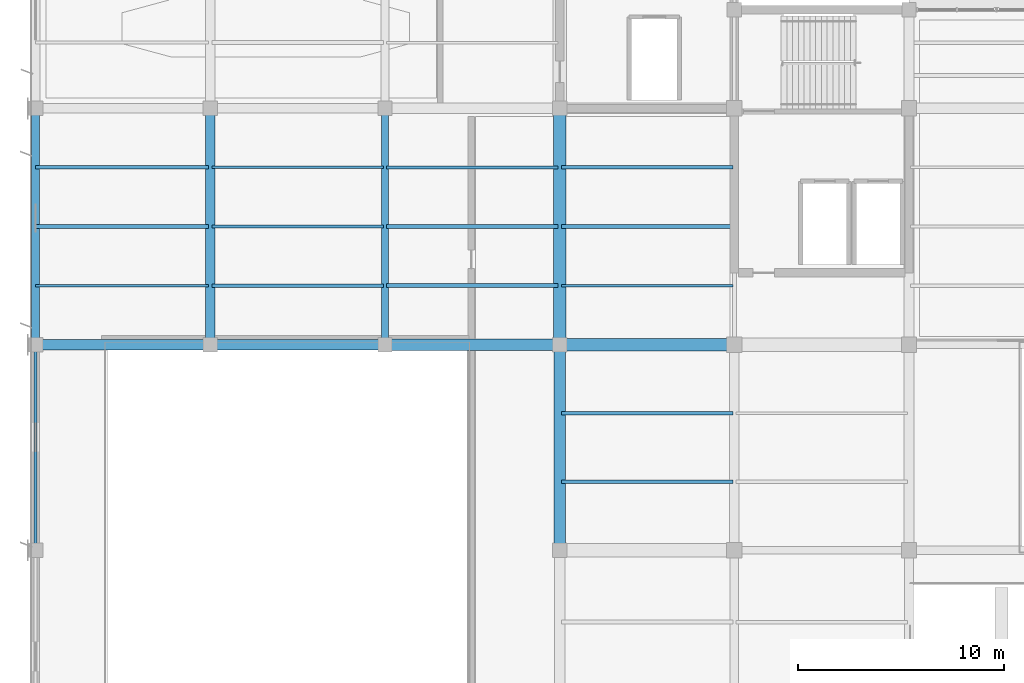
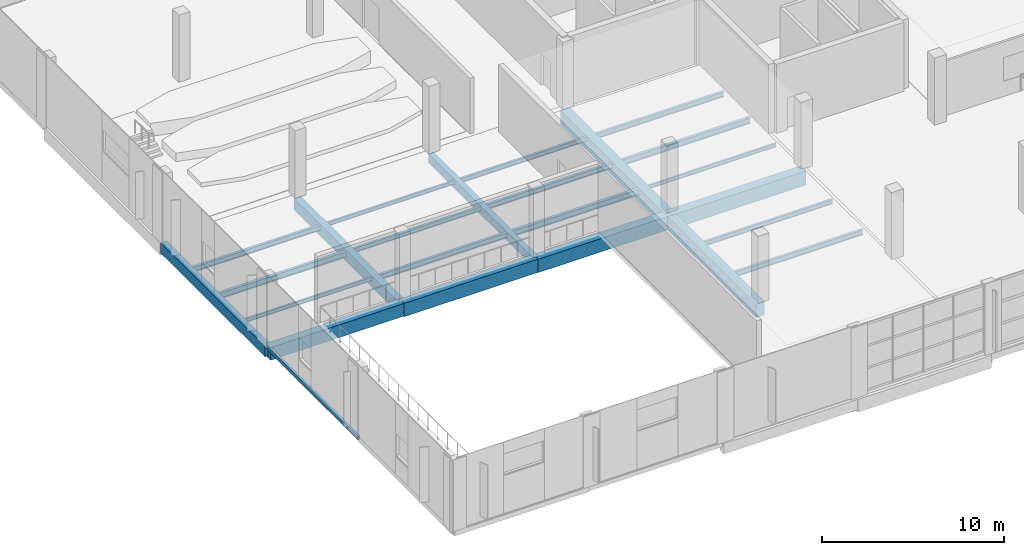
# One storey, part 12 of 112: 24 beams.
"""IFC4 building model written with IfcOpenShell, lengths in metres."""

from ifc_helpers import new_model, si_unit, direction, frame, origin, origin_2d, place, context, subcontext, project, spatial, rectangle, hollow_rectangle, i_section, extrude, material, material_profile, profile_set, type_object, element, save


model = new_model("IFC4")

# Units and contexts
model_context = context("Model", 3, precision=1e-05, world=origin(), true_north=direction((0.0, 1.0)))
body_context = subcontext(model_context, "Body", "Model", "MODEL_VIEW")
ifc_project = project(units=[si_unit("LENGTHUNIT", "METRE"), si_unit("AREAUNIT", "SQUARE_METRE"), si_unit("VOLUMEUNIT", "CUBIC_METRE"), si_unit("PLANEANGLEUNIT", "RADIAN"), si_unit("MASSUNIT", "GRAM", prefix="KILO")], contexts=[model_context])

# Site, building, storey
site_placement = place(None, origin())
site = spatial("IfcSite", under=ifc_project, at=site_placement, CompositionType="ELEMENT")
building_placement = place(site_placement, origin())
building = spatial("IfcBuilding", under=site, at=building_placement, Name="Solvikara Media Centre", CompositionType="ELEMENT")
storey_placement = place(building_placement, frame((0.0, 0.0, 5.39990234375)))
storey = spatial("IfcBuildingStorey", under=building, at=storey_placement, Name="L01", CompositionType="ELEMENT", Elevation=5.39990234375)

# Beams
ifc_material_1 = material(Name="Concrete fc' 35 MPa (C35/45)", Category="concrete")
ifc_material_profile_1 = material_profile(ifc_material_1, rectangle(XDim=0.35009765625, YDim=0.60009765625, at=origin_2d()), Name="RC 350x600")
ifc_profile_set_1 = profile_set([ifc_material_profile_1], Name="Concrete fc' 35 MPa (C35/45)")
beam_type_1 = type_object("IfcBeamType", Name="BM-01", PredefinedType="BEAM", material=ifc_profile_set_1)
beam_1_placement = place(storey_placement, frame((17.0, 20.5, -0.559814453125), z_axis=(0.0, 1.0, 0.0), x_axis=(-1.0, 0.0, 0.0)))
element("IfcBeam", 1, at=beam_1_placement, inside=storey, type_object=beam_type_1, Name="B-L01-Y0553", PredefinedType="BEAM", context=body_context, shape_type="SweptSolid", body=[
    extrude(rectangle(XDim=0.35009765625, YDim=0.60009765625, at=origin_2d()), origin(), (0.0, 0.0, 1.0), 11.5),
])
ifc_material_profile_2 = material_profile(ifc_material_1, rectangle(XDim=0.449951171875, YDim=0.75, at=origin_2d()), Name="RC 450x750")
ifc_profile_set_2 = profile_set([ifc_material_profile_2], Name="Concrete fc' 35 MPa (C35/45)")
beam_type_2 = type_object("IfcBeamType", Name="BM-05", PredefinedType="BEAM", material=ifc_profile_set_2)
beam_2_placement = place(storey_placement, frame((8.5, 20.5, -0.635009765625), z_axis=(0.0, 1.0, 0.0), x_axis=(-1.0, 0.0, 0.0)))
element("IfcBeam", 2, at=beam_2_placement, inside=storey, type_object=beam_type_2, Name="B-L01-Y0545", PredefinedType="BEAM", context=body_context, shape_type="SweptSolid", body=[
    extrude(rectangle(XDim=0.449951171875, YDim=0.75, at=origin_2d()), origin(), (0.0, 0.0, 1.0), 11.5),
])
ifc_material_profile_3 = material_profile(ifc_material_1, rectangle(XDim=0.5, YDim=0.85009765625, at=origin_2d()), Name="RC 500x850")
ifc_profile_set_3 = profile_set([ifc_material_profile_3], Name="Concrete fc' 35 MPa (C35/45)")
beam_type_3 = type_object("IfcBeamType", Name="BM-08", PredefinedType="BEAM", material=ifc_profile_set_3)
beam_3_placement = place(storey_placement, frame((0.0, 20.5, -0.684814453125), z_axis=(1.0, 0.0, 0.0), x_axis=(0.0, 1.0, 0.0)))
element("IfcBeam", 3, at=beam_3_placement, inside=storey, type_object=beam_type_3, Name="B-L01-X0464", PredefinedType="BEAM", context=body_context, shape_type="SweptSolid", body=[
    extrude(rectangle(XDim=0.5, YDim=0.85009765625, at=origin_2d()), origin(), (0.0, 0.0, 1.0), 8.5),
])
ifc_material_2 = material(Name="Concrete fc' 45 MPa (C45/55)", Category="concrete")
ifc_material_profile_4 = material_profile(ifc_material_2, rectangle(XDim=0.5, YDim=0.89990234375, at=origin_2d()), Name="RC 500x900")
ifc_profile_set_4 = profile_set([ifc_material_profile_4], Name="Concrete fc' 45 MPa (C45/55)")
beam_type_4 = type_object("IfcBeamType", Name="BM-09", PredefinedType="BEAM", material=ifc_profile_set_4)
beam_4_placement = place(storey_placement, frame((8.5, 20.5, -0.7099609375), z_axis=(1.0, 0.0, 0.0), x_axis=(0.0, 1.0, 0.0)))
element("IfcBeam", 4, at=beam_4_placement, inside=storey, type_object=beam_type_4, Name="B-L01-X0465", PredefinedType="BEAM", context=body_context, shape_type="SweptSolid", body=[
    extrude(rectangle(XDim=0.5, YDim=0.89990234375, at=origin_2d()), origin(), (0.0, 0.0, 1.0), 8.5),
])
ifc_material_profile_5 = material_profile(ifc_material_2, rectangle(XDim=0.550048828125, YDim=0.89990234375, at=origin_2d()), Name="RC 550x900")
ifc_profile_set_5 = profile_set([ifc_material_profile_5], Name="Concrete fc' 45 MPa (C45/55)")
beam_type_5 = type_object("IfcBeamType", Name="BM-10", PredefinedType="BEAM", material=ifc_profile_set_5)
beam_5_placement = place(storey_placement, frame((17.0, 20.5, -0.7099609375), z_axis=(1.0, 0.0, 0.0), x_axis=(0.0, 1.0, 0.0)))
element("IfcBeam", 5, at=beam_5_placement, inside=storey, type_object=beam_type_5, Name="B-L01-X0466", PredefinedType="BEAM", context=body_context, shape_type="SweptSolid", body=[
    extrude(rectangle(XDim=0.550048828125, YDim=0.89990234375, at=origin_2d()), origin(), (0.0, 0.0, 1.0), 8.5),
])
beam_6_placement = place(storey_placement, frame((25.5, 10.5, -0.7099609375), z_axis=(0.0, 1.0, 0.0), x_axis=(-1.0, 0.0, 0.0)))
element("IfcBeam", 6, at=beam_6_placement, inside=storey, type_object=beam_type_5, Name="B-L01-Y0562", PredefinedType="BEAM", context=body_context, shape_type="SweptSolid", body=[
    extrude(rectangle(XDim=0.550048828125, YDim=0.89990234375, at=origin_2d()), origin(), (0.0, 0.0, 1.0), 10.0),
])
ifc_material_profile_6 = material_profile(ifc_material_2, rectangle(XDim=0.60009765625, YDim=0.949951171875, at=origin_2d()), Name="RC 600x950")
ifc_profile_set_6 = profile_set([ifc_material_profile_6], Name="Concrete fc' 45 MPa (C45/55)")
beam_type_6 = type_object("IfcBeamType", Name="BM-11", PredefinedType="BEAM", material=ifc_profile_set_6)
beam_7_placement = place(storey_placement, frame((25.5, 20.5, -0.73486328125), z_axis=(1.0, 0.0, 0.0), x_axis=(0.0, 1.0, 0.0)))
element("IfcBeam", 7, at=beam_7_placement, inside=storey, type_object=beam_type_6, Name="B-L01-X0467", PredefinedType="BEAM", context=body_context, shape_type="SweptSolid", body=[
    extrude(rectangle(XDim=0.60009765625, YDim=0.949951171875, at=origin_2d()), origin(), (0.0, 0.0, 1.0), 8.5),
])
beam_8_placement = place(storey_placement, frame((25.5, 20.5, -0.73486328125), z_axis=(0.0, 1.0, 0.0), x_axis=(-1.0, 0.0, 0.0)))
element("IfcBeam", 8, at=beam_8_placement, inside=storey, type_object=beam_type_6, Name="B-L01-Y0563", PredefinedType="BEAM", context=body_context, shape_type="SweptSolid", body=[
    extrude(rectangle(XDim=0.60009765625, YDim=0.949951171875, at=origin_2d()), origin(), (0.0, 0.0, 1.0), 11.5),
])
ifc_material_profile_7 = material_profile(ifc_material_1, rectangle(XDim=0.39990234375, YDim=0.699951171875, at=origin_2d()), Name="RC 400x700")
ifc_profile_set_7 = profile_set([ifc_material_profile_7], Name="Concrete fc' 35 MPa (C35/45)")
beam_type_7 = type_object("IfcBeamType", Name="BM-13", PredefinedType="SPANDREL", material=ifc_profile_set_7)
beam_9_placement = place(storey_placement, frame((0.0, 20.5, -0.60986328125), z_axis=(0.0, 1.0, 0.0), x_axis=(-1.0, 0.0, 0.0)))
element("IfcBeam", 9, at=beam_9_placement, inside=storey, type_object=beam_type_7, Name="B-L01-Y0537", PredefinedType="SPANDREL", context=body_context, shape_type="SweptSolid", body=[
    extrude(rectangle(XDim=0.39990234375, YDim=0.699951171875, at=origin_2d()), origin(), (0.0, 0.0, 1.0), 11.5),
])
ifc_material_3 = material(Name="Steel S355JR", Category="steel")
ifc_material_profile_8 = material_profile(ifc_material_3, i_section(OverallWidth=0.199951171875, OverallDepth=0.39990234375, WebThickness=0.008056640625, FlangeThickness=0.012939453125, at=origin_2d()), Name="WF 400x200x8x13")
ifc_profile_set_8 = profile_set([ifc_material_profile_8], Name="Steel S355JR")
beam_type_8 = type_object("IfcBeamType", Name="BM-21", PredefinedType="JOIST", material=ifc_profile_set_8)
beam_10_placement = place(storey_placement, frame((17.077880859375, 23.375, -0.4619140625), z_axis=(1.0, 0.0, 0.0), x_axis=(0.0, 1.0, 0.0)))
element("IfcBeam", 10, at=beam_10_placement, inside=storey, type_object=beam_type_8, Name="J-L01-0689", PredefinedType="JOIST", context=body_context, shape_type="SweptSolid", body=[
    extrude(i_section(OverallWidth=0.199951171875, OverallDepth=0.39990234375, WebThickness=0.008056640625, FlangeThickness=0.012939453125, at=origin_2d()), origin(), (0.0, 0.0, 1.0), 8.34423828125),
])
ifc_material_profile_9 = material_profile(ifc_material_3, i_section(OverallWidth=0.175048828125, OverallDepth=0.35009765625, WebThickness=0.007080078125, FlangeThickness=0.010986328125, at=origin_2d()), Name="WF 350x175x7x11")
ifc_profile_set_9 = profile_set([ifc_material_profile_9], Name="Steel S355JR")
beam_type_9 = type_object("IfcBeamType", Name="BM-22", PredefinedType="JOIST", material=ifc_profile_set_9)
for number, where, z_axis, x_axis, name in (
    (11, (8.577880859375, 23.375, -0.43701171875), (1.0, 0.0, 0.0), (0.0, 1.0, 0.0), "J-L01-0666"),
    (12, (17.077880859375, 26.25, -0.43701171875), (1.0, 0.0, 0.0), (0.0, 1.0, 0.0), "J-L01-0690"),
    (13, (25.577880859375, 13.8330078125, -0.43701171875), (1.0, 0.0, 0.0), (0.0, 1.0, 0.0), "J-L01-0714"),
):
    element("IfcBeam", number, at=place(storey_placement, frame(where, z_axis=z_axis, x_axis=x_axis)), inside=storey, type_object=beam_type_9, Name=name, PredefinedType="JOIST", context=body_context, shape_type="SweptSolid", body=[
        extrude(i_section(OverallWidth=0.175048828125, OverallDepth=0.35009765625, WebThickness=0.007080078125, FlangeThickness=0.010986328125, at=origin_2d()), origin(), (0.0, 0.0, 1.0), 8.34423828125),
    ])
ifc_material_profile_10 = material_profile(ifc_material_3, i_section(OverallWidth=0.14990234375, OverallDepth=0.300048828125, WebThickness=0.006591796875, FlangeThickness=0.009033203125, at=origin_2d()), Name="WF 300x150x6.5x9")
ifc_profile_set_10 = profile_set([ifc_material_profile_10], Name="Steel S355JR")
beam_type_10 = type_object("IfcBeamType", Name="BM-23", PredefinedType="JOIST", material=ifc_profile_set_10)
for number, where, z_axis, x_axis, name in (
    (14, (8.577880859375, 26.25, -0.411865234375), (1.0, 0.0, 0.0), (0.0, 1.0, 0.0), "J-L01-0667"),
    (15, (17.077880859375, 29.125, -0.411865234375), (1.0, 0.0, 0.0), (0.0, 1.0, 0.0), "J-L01-0691"),
    (16, (25.577880859375, 17.1669921875, -0.411865234375), (1.0, 0.0, 0.0), (0.0, 1.0, 0.0), "J-L01-0715"),
):
    element("IfcBeam", number, at=place(storey_placement, frame(where, z_axis=z_axis, x_axis=x_axis)), inside=storey, type_object=beam_type_10, Name=name, PredefinedType="JOIST", context=body_context, shape_type="SweptSolid", body=[
        extrude(i_section(OverallWidth=0.14990234375, OverallDepth=0.300048828125, WebThickness=0.006591796875, FlangeThickness=0.009033203125, at=origin_2d()), origin(), (0.0, 0.0, 1.0), 8.34423828125),
    ])
ifc_material_profile_11 = material_profile(ifc_material_3, i_section(OverallWidth=0.125, OverallDepth=0.25, WebThickness=0.006103515625, FlangeThickness=0.009033203125, at=origin_2d()), Name="WF 250x125x6x9")
ifc_profile_set_11 = profile_set([ifc_material_profile_11], Name="Steel S355JR")
beam_type_11 = type_object("IfcBeamType", Name="BM-24", PredefinedType="JOIST", material=ifc_profile_set_11)
beam_11_placement = place(storey_placement, frame((0.0, 23.375, -0.386962890625), z_axis=(1.0, 0.0, 0.0), x_axis=(0.0, 1.0, 0.0)))
element("IfcBeam", 17, at=beam_11_placement, inside=storey, type_object=beam_type_11, Name="J-L01-0644", PredefinedType="JOIST", context=body_context, shape_type="SweptSolid", body=[
    extrude(i_section(OverallWidth=0.125, OverallDepth=0.25, WebThickness=0.006103515625, FlangeThickness=0.009033203125, at=origin_2d()), origin(), (0.0, 0.0, 1.0), 8.422119140625),
])
for number, where, z_axis, x_axis, name in (
    (18, (8.577880859375, 29.125, -0.386962890625), (1.0, 0.0, 0.0), (0.0, 1.0, 0.0), "J-L01-0668"),
    (19, (25.577880859375, 23.375, -0.386962890625), (1.0, 0.0, 0.0), (0.0, 1.0, 0.0), "J-L01-0716"),
):
    element("IfcBeam", number, at=place(storey_placement, frame(where, z_axis=z_axis, x_axis=x_axis)), inside=storey, type_object=beam_type_11, Name=name, PredefinedType="JOIST", context=body_context, shape_type="SweptSolid", body=[
        extrude(i_section(OverallWidth=0.125, OverallDepth=0.25, WebThickness=0.006103515625, FlangeThickness=0.009033203125, at=origin_2d()), origin(), (0.0, 0.0, 1.0), 8.34423828125),
    ])
ifc_material_profile_12 = material_profile(ifc_material_3, i_section(OverallWidth=0.198974609375, OverallDepth=0.39599609375, WebThickness=0.007080078125, FlangeThickness=0.010986328125, at=origin_2d()), Name="WF 396x199x7x11")
ifc_profile_set_12 = profile_set([ifc_material_profile_12], Name="Steel S355JR")
beam_type_12 = type_object("IfcBeamType", Name="BM-37", PredefinedType="JOIST", material=ifc_profile_set_12)
beam_12_placement = place(storey_placement, frame((0.0, 26.25, -0.4599609375), z_axis=(1.0, 0.0, 0.0), x_axis=(0.0, 1.0, 0.0)))
element("IfcBeam", 20, at=beam_12_placement, inside=storey, type_object=beam_type_12, Name="J-L01-0645", PredefinedType="JOIST", context=body_context, shape_type="SweptSolid", body=[
    extrude(i_section(OverallWidth=0.198974609375, OverallDepth=0.39599609375, WebThickness=0.007080078125, FlangeThickness=0.010986328125, at=origin_2d()), origin(), (0.0, 0.0, 1.0), 8.422119140625),
])
beam_13_placement = place(storey_placement, frame((25.577880859375, 26.25, -0.4599609375), z_axis=(1.0, 0.0, 0.0), x_axis=(0.0, 1.0, 0.0)))
element("IfcBeam", 21, at=beam_13_placement, inside=storey, type_object=beam_type_12, Name="J-L01-0717", PredefinedType="JOIST", context=body_context, shape_type="SweptSolid", body=[
    extrude(i_section(OverallWidth=0.198974609375, OverallDepth=0.39599609375, WebThickness=0.007080078125, FlangeThickness=0.010986328125, at=origin_2d()), origin(), (0.0, 0.0, 1.0), 8.34423828125),
])
ifc_material_profile_13 = material_profile(ifc_material_3, i_section(OverallWidth=0.174072265625, OverallDepth=0.345947265625, WebThickness=0.006103515625, FlangeThickness=0.009033203125, at=origin_2d()), Name="WF 346x174x6x9")
ifc_profile_set_13 = profile_set([ifc_material_profile_13], Name="Steel S355JR")
beam_type_13 = type_object("IfcBeamType", Name="BM-38", PredefinedType="JOIST", material=ifc_profile_set_13)
beam_14_placement = place(storey_placement, frame((0.0, 29.125, -0.434814453125), z_axis=(1.0, 0.0, 0.0), x_axis=(0.0, 1.0, 0.0)))
element("IfcBeam", 22, at=beam_14_placement, inside=storey, type_object=beam_type_13, Name="J-L01-0646", PredefinedType="JOIST", context=body_context, shape_type="SweptSolid", body=[
    extrude(i_section(OverallWidth=0.174072265625, OverallDepth=0.345947265625, WebThickness=0.006103515625, FlangeThickness=0.009033203125, at=origin_2d()), origin(), (0.0, 0.0, 1.0), 8.422119140625),
])
beam_15_placement = place(storey_placement, frame((25.577880859375, 29.125, -0.434814453125), z_axis=(1.0, 0.0, 0.0), x_axis=(0.0, 1.0, 0.0)))
element("IfcBeam", 23, at=beam_15_placement, inside=storey, type_object=beam_type_13, Name="J-L01-0718", PredefinedType="JOIST", context=body_context, shape_type="SweptSolid", body=[
    extrude(i_section(OverallWidth=0.174072265625, OverallDepth=0.345947265625, WebThickness=0.006103515625, FlangeThickness=0.009033203125, at=origin_2d()), origin(), (0.0, 0.0, 1.0), 8.34423828125),
])
ifc_material_profile_14 = material_profile(ifc_material_3, hollow_rectangle(XDim=0.139892578125, YDim=0.280029296875, WallThickness=0.008056640625, at=origin_2d()), Name="RHS 280x140x8")
ifc_profile_set_14 = profile_set([ifc_material_profile_14], Name="Steel S355JR")
beam_type_14 = type_object("IfcBeamType", Name="BM-46", PredefinedType="SPANDREL", material=ifc_profile_set_14)
beam_16_placement = place(storey_placement, frame((0.0, 10.5, -0.40185546875), z_axis=(0.0, 1.0, 0.0), x_axis=(-1.0, 0.0, 0.0)))
element("IfcBeam", 24, at=beam_16_placement, inside=storey, type_object=beam_type_14, Name="B-L01-Y0536", PredefinedType="SPANDREL", context=body_context, shape_type="SweptSolid", body=[
    extrude(hollow_rectangle(XDim=0.139892578125, YDim=0.280029296875, WallThickness=0.008056640625, at=origin_2d()), origin(), (0.0, 0.0, 1.0), 10.0),
])

save(model, "model.ifc")
